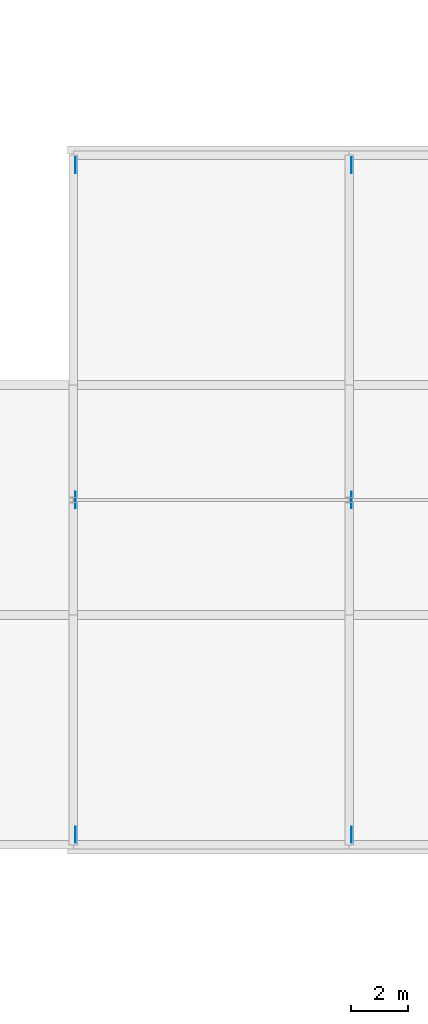
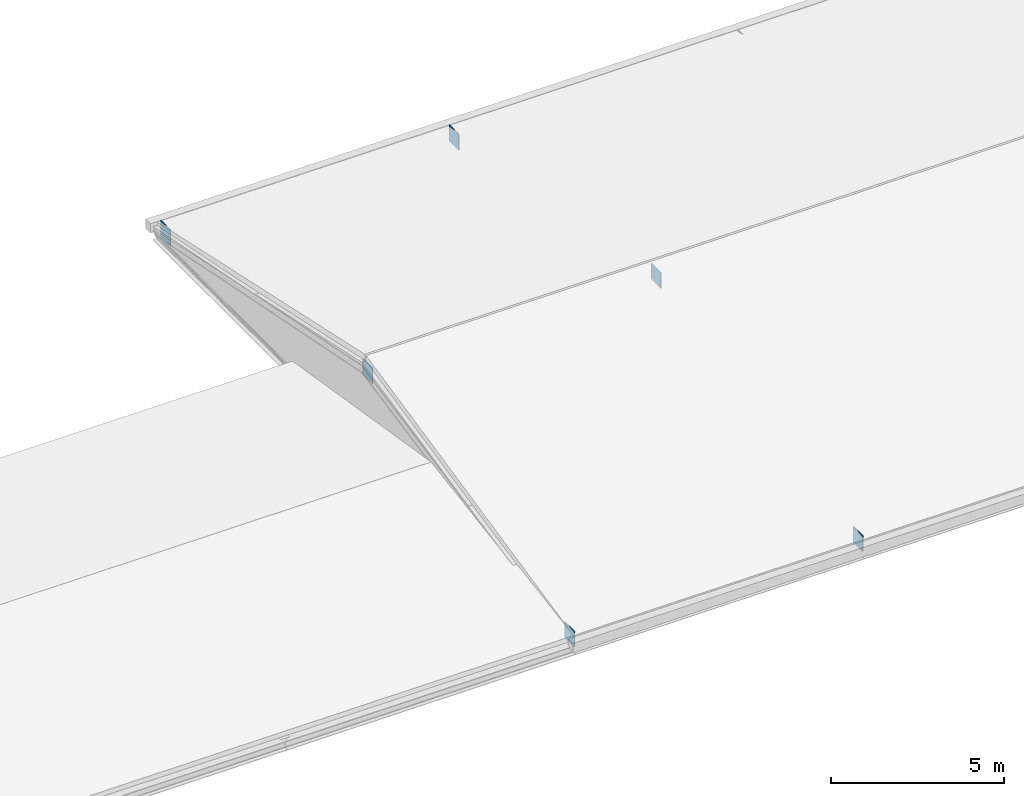
# One storey, part 29 of 34: 6 plates.
"""IFC4 building model written with IfcOpenShell, lengths in metres."""

from ifc_helpers import new_model, si_unit, direction, frame, origin, origin_2d, place, context, subcontext, project, spatial, rectangle, extrude, material, layer, layer_set, type_object, element, save


model = new_model("IFC4")

# Units and contexts
model_context = context("Model", 3, precision=1e-05, world=origin(), true_north=direction((0.0, 1.0)))
body_context = subcontext(model_context, "Body", "Model", "MODEL_VIEW")
ifc_project = project(units=[si_unit("LENGTHUNIT", "METRE"), si_unit("AREAUNIT", "SQUARE_METRE"), si_unit("VOLUMEUNIT", "CUBIC_METRE"), si_unit("PLANEANGLEUNIT", "RADIAN"), si_unit("MASSUNIT", "GRAM", prefix="KILO")], contexts=[model_context])

# Site, building, storey
site_placement = place(None, origin())
site = spatial("IfcSite", under=ifc_project, at=site_placement, CompositionType="ELEMENT")
building_placement = place(site_placement, origin())
building = spatial("IfcBuilding", under=site, at=building_placement, Name="Alderhovde Museum", CompositionType="ELEMENT")
storey_placement = place(building_placement, frame((0.0, 0.0, 25.800048828125)))
storey = spatial("IfcBuildingStorey", under=building, at=storey_placement, Name="L05", CompositionType="ELEMENT", Elevation=25.800048828125)

# Plates
ifc_material = material(Name="Steel S355J2", Category="steel")
ifc_layer = layer(ifc_material, 0.02197265625)
ifc_layer_set = layer_set([ifc_layer], Name="Steel S355J2")
plate_type = type_object("IfcPlateType", Name="PLT-GUSSET-22", PredefinedType="USERDEFINED", material=ifc_layer_set)
for number, where, z_axis, x_axis, name in (
    (1, (115.280029296875, 72.35009765625, -0.47998046875), (0.0, 0.0, 1.0), (1.0, 0.0, 0.0), "Conservation Roof Gusset X=115.2-1"),
    (2, (115.280029296875, 84.0, 1.719970703125), (0.0, 0.0, 1.0), (1.0, 0.0, 0.0), "Conservation Roof Gusset X=115.2-2"),
    (3, (115.280029296875, 95.64990234375, -0.47998046875), (0.0, 0.0, 1.0), (1.0, 0.0, 0.0), "Conservation Roof Gusset X=115.2-3"),
    (4, (124.8798828125, 72.35009765625, -0.47998046875), (0.0, 0.0, 1.0), (1.0, 0.0, 0.0), "Conservation Roof Gusset X=124.8-1"),
    (5, (124.8798828125, 84.0, 1.719970703125), (0.0, 0.0, 1.0), (1.0, 0.0, 0.0), "Conservation Roof Gusset X=124.8-2"),
    (6, (124.8798828125, 95.64990234375, -0.47998046875), (0.0, 0.0, 1.0), (1.0, 0.0, 0.0), "Conservation Roof Gusset X=124.8-3"),
):
    element("IfcPlate", number, at=place(storey_placement, frame(where, z_axis=z_axis, x_axis=x_axis)), inside=storey, type_object=plate_type, Name=name, ObjectType="GUSSET PLATE", PredefinedType="USERDEFINED", context=body_context, shape_type="SweptSolid", body=[
        extrude(rectangle(XDim=0.02197265625, YDim=0.56005859375, at=origin_2d()), origin(), (0.0, 0.0, 1.0), 0.56005859375),
    ])

save(model, "model.ifc")
